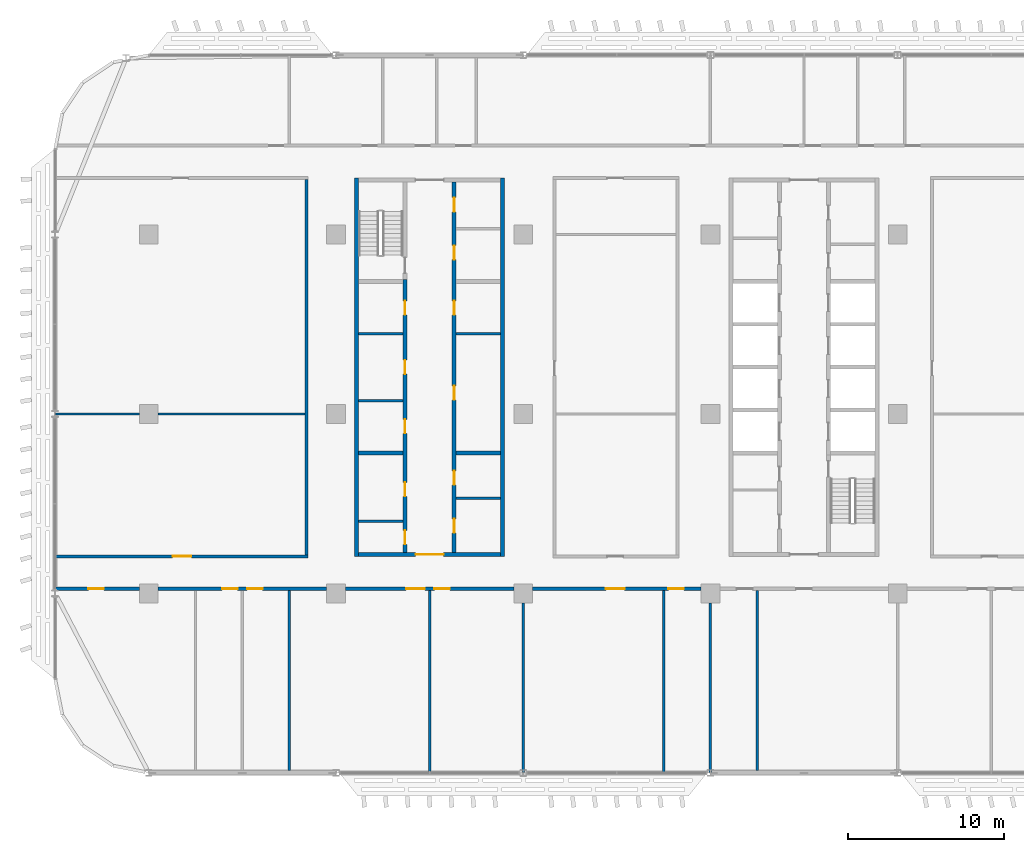
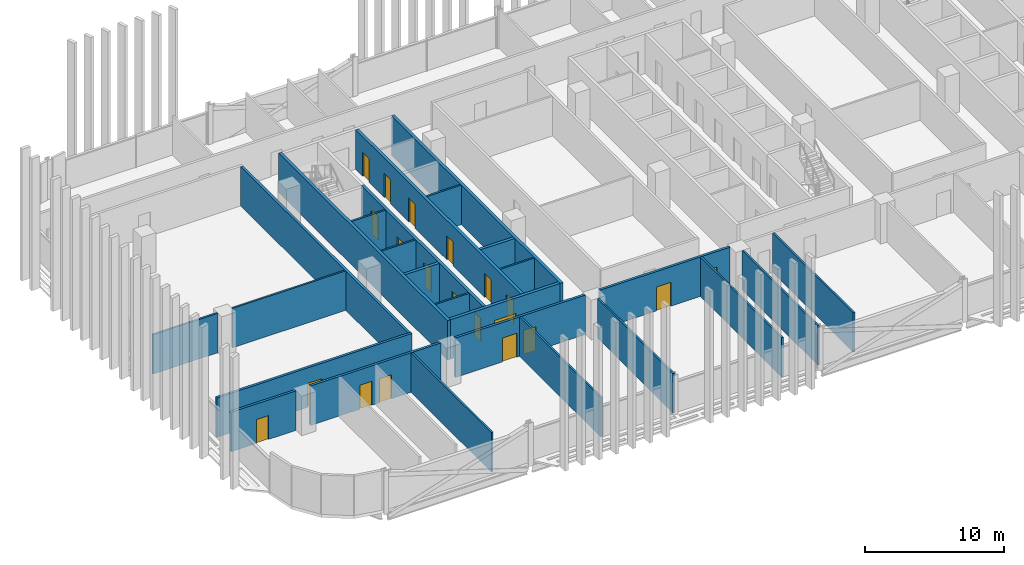
# One storey, part 12 of 28: 26 walls, 20 doors, 20 openings.
"""IFC4 building model written with IfcOpenShell, lengths in metres."""

import ifcopenshell
import ifcopenshell.guid

model = None  # the IFC model being written
_history = None  # IfcOwnerHistory: only IFC2X3 demands one
_inside = {}  # id of a spatial element -> (the spatial element, [elements in it])
_under = {}  # id of a project, library or spatial element -> (it, [spatial elements below it])
_declared = {}  # id of a project -> (the project, [libraries it declares])
_typed = {}  # id of a type object -> (the type object, [elements of that type])
_made_of = {}  # id of a material, layer set ... -> (it, [elements and type objects made of it])


def new_model(schema):
    """Start an empty IFC model of exactly this schema.

    Asked for "IFC4X3", IfcOpenShell would pick the latest addendum, in which some entities
    have other attributes; the version numbers below select the first issue.
    IFC2X3 requires an IfcOwnerHistory on every rooted entity: one is made here for all.
    """
    global model, _history
    if schema == "IFC4X3":
        model = ifcopenshell.file(schema_version=(4, 3, 0, 0))
    else:
        model = ifcopenshell.file(schema=schema)
    _inside.clear()
    _under.clear()
    _declared.clear()
    _typed.clear()
    _made_of.clear()
    _history = None
    if model.schema == "IFC2X3":
        org = make("IfcOrganization", Name="unknown")
        user = make(
            "IfcPersonAndOrganization",
            ThePerson=make("IfcPerson", FamilyName="unknown"),
            TheOrganization=org,
        )
        app = make(
            "IfcApplication",
            ApplicationDeveloper=org,
            Version="unknown",
            ApplicationFullName="unknown",
            ApplicationIdentifier="unknown",
        )
        _history = make(
            "IfcOwnerHistory",
            OwningUser=user,
            OwningApplication=app,
            ChangeAction="ADDED",
            CreationDate=0,
        )
    return model


def make(cls, **values):
    """One entity of the class cls with the attributes given. An attribute that is None is left unset."""
    return model.create_entity(
        cls, **{name: value for name, value in values.items() if value is not None}
    )


def rooted(cls, **values):
    """An entity with a GlobalId (a new one), such as an element, a storey or a relation."""
    return make(cls, GlobalId=ifcopenshell.guid.new(), OwnerHistory=_history, **values)


def si_unit(unit_type, name, prefix=None):
    """IfcSIUnit, for example si_unit("LENGTHUNIT", "METRE", prefix="MILLI")."""
    return make("IfcSIUnit", UnitType=unit_type, Prefix=prefix, Name=name)


def assignment(units):
    """IfcUnitAssignment: the units of a project."""
    return None if units is None else make("IfcUnitAssignment", Units=units)


def point(xyz):
    """IfcCartesianPoint."""
    return None if xyz is None else make("IfcCartesianPoint", Coordinates=xyz)


def direction(xyz):
    """IfcDirection."""
    return None if xyz is None else make("IfcDirection", DirectionRatios=xyz)


def frame(location, z_axis=None, x_axis=None):
    """IfcAxis2Placement3D, a coordinate frame: its origin and axes. An axis left out is left unset."""
    return make(
        "IfcAxis2Placement3D",
        Location=point(location),
        Axis=direction(z_axis),
        RefDirection=direction(x_axis),
    )


def frame_2d(location, x_axis=None):
    """IfcAxis2Placement2D, a coordinate frame in the plane: its origin and x axis."""
    return make(
        "IfcAxis2Placement2D", Location=point(location), RefDirection=direction(x_axis)
    )


def origin():
    """The frame at (0, 0, 0) with its axes left unset."""
    return frame((0.0, 0.0, 0.0))


def place(relative_to, where):
    """IfcLocalPlacement: puts the frame where relative to a parent placement (None: the world)."""
    return make(
        "IfcLocalPlacement", PlacementRelTo=relative_to, RelativePlacement=where
    )


def context(
    kind, dimensions, precision=None, world=None, true_north=None, identifier=None
):
    """IfcGeometricRepresentationContext, for example the 3D "Model" context."""
    return make(
        "IfcGeometricRepresentationContext",
        ContextIdentifier=identifier,
        ContextType=kind,
        CoordinateSpaceDimension=dimensions,
        Precision=precision,
        WorldCoordinateSystem=world,
        TrueNorth=true_north,
    )


def subcontext(parent, identifier, kind, view, scale=None):
    """IfcGeometricRepresentationSubContext, for example "Body" below "Model"."""
    return make(
        "IfcGeometricRepresentationSubContext",
        ContextIdentifier=identifier,
        ContextType=kind,
        ParentContext=parent,
        TargetScale=scale,
        TargetView=view,
    )


def project(units=None, contexts=None):
    """IfcProject with its units and contexts."""
    return rooted(
        "IfcProject",
        Name="project",
        RepresentationContexts=contexts,
        UnitsInContext=assignment(units),
    )


def spatial(cls, under=None, at=None, **own):
    """A site, building, storey or space (cls), placed at a placement, below another one or the project."""
    s = rooted(cls, ObjectPlacement=at, **own)
    if under is not None:
        _under.setdefault(under.id(), (under, []))[1].append(s)
    return s


def profile(cls, at=None, kind="AREA", **sizes):
    """A parametric profile (cls). Its sizes go by their IFC names, for example OverallWidth=200.0."""
    return make(cls, ProfileType=kind, Position=at, **sizes)


def rectangle(**sizes):
    """IfcRectangleProfileDef."""
    return profile("IfcRectangleProfileDef", **sizes)


def extrude(swept, where, along, depth):
    """IfcExtrudedAreaSolid: the profile swept, set in the frame where, extruded along a direction by depth."""
    return make(
        "IfcExtrudedAreaSolid",
        SweptArea=swept,
        Position=where,
        ExtrudedDirection=direction(along),
        Depth=depth,
    )


def shape(context_of_items, identifier, shape_type, items):
    """IfcShapeRepresentation: the items that make up one representation, for example the "Body"."""
    return make(
        "IfcShapeRepresentation",
        ContextOfItems=context_of_items,
        RepresentationIdentifier=identifier,
        RepresentationType=shape_type,
        Items=items,
    )


def material(Name=None, Category=None):
    """IfcMaterial."""
    return make("IfcMaterial", Name=Name, Category=Category)


def layer(
    of_material, thickness, ventilated=None, Name=None, Category=None, Priority=None
):
    """IfcMaterialLayer: one layer of a wall or slab, of a material (None: an air gap)."""
    return make(
        "IfcMaterialLayer",
        Material=of_material,
        LayerThickness=thickness,
        IsVentilated=ventilated,
        Name=Name,
        Category=Category,
        Priority=Priority,
    )


def layer_set(layers, Name=None):
    """IfcMaterialLayerSet."""
    return make("IfcMaterialLayerSet", MaterialLayers=layers, LayerSetName=Name)


def made_of(thing, what):
    """Note that an element or type object is made of a material, layer set ...; save() writes the relation."""
    if what is not None:
        _made_of.setdefault(what.id(), (what, []))[1].append(thing)
    return thing


def type_object(cls, material=None, **own):
    """A type object (cls), such as IfcWallType, which elements share."""
    return made_of(rooted(cls, **own), material)


def element(
    cls,
    number,
    at=None,
    inside=None,
    cuts=None,
    type_object=None,
    material=None,
    context=None,
    identifier="Body",
    shape_type=None,
    held_by="IfcProductDefinitionShape",
    body=None,
    shapes=None,
    **own,
):
    """One element of the class cls, such as IfcWall. Its Tag is "e" and its number.

    at: its placement. inside: the storey or other place that contains it. cuts: it is an
    opening in that element (IfcRelVoidsElement). A single representation is given by context,
    identifier, shape_type and body (its items); several are given by shapes. held_by: the class
    of the entity that holds the representations. save() writes the other relations.
    """
    e = rooted(cls, Tag="e%d" % number, ObjectPlacement=at, **own)
    if body is not None:
        shapes = [shape(context, identifier, shape_type, body)]
    if shapes is not None:
        e.Representation = make(held_by, Representations=shapes)
    if inside is not None:
        _inside.setdefault(inside.id(), (inside, []))[1].append(e)
    if cuts is not None:
        rooted(
            "IfcRelVoidsElement", RelatingBuildingElement=cuts, RelatedOpeningElement=e
        )
    if type_object is not None:
        _typed.setdefault(type_object.id(), (type_object, []))[1].append(e)
    return made_of(e, material)


def fill(opening, filler):
    """IfcRelFillsElement: the door or window that sits in an opening."""
    return rooted(
        "IfcRelFillsElement",
        RelatingOpeningElement=opening,
        RelatedBuildingElement=filler,
    )


def aggregate(whole, parts):
    """IfcRelAggregates: a whole, such as a stair, and the parts it consists of."""
    return rooted("IfcRelAggregates", RelatingObject=whole, RelatedObjects=parts)


def save(model, path):
    """Write the relations noted so far, then the file.

    IfcRelAggregates (storeys below a building ...), IfcRelContainedInSpatialStructure (elements
    in a storey), IfcRelDefinesByType, IfcRelAssociatesMaterial and IfcRelDeclares: one each for
    every whole, place, type object, material and project.
    """
    for whole, parts in _under.values():
        aggregate(whole, parts)
    for where, things in _inside.values():
        rooted(
            "IfcRelContainedInSpatialStructure",
            RelatedElements=things,
            RelatingStructure=where,
        )
    for kind, things in _typed.values():
        rooted("IfcRelDefinesByType", RelatedObjects=things, RelatingType=kind)
    for what, things in _made_of.values():
        rooted("IfcRelAssociatesMaterial", RelatedObjects=things, RelatingMaterial=what)
    for by, libraries in _declared.values():
        rooted("IfcRelDeclares", RelatingContext=by, RelatedDefinitions=libraries)
    model.write(path)


model = new_model("IFC4")

# Units and contexts
model_context = context("Model", 3, precision=1e-05, world=origin(), true_north=direction((0.0, 1.0)))
body_context = subcontext(model_context, "Body", "Model", "MODEL_VIEW")
ifc_project = project(units=[si_unit("LENGTHUNIT", "METRE"), si_unit("AREAUNIT", "SQUARE_METRE"), si_unit("VOLUMEUNIT", "CUBIC_METRE"), si_unit("PLANEANGLEUNIT", "RADIAN"), si_unit("MASSUNIT", "GRAM", prefix="KILO")], contexts=[model_context])

# Site, building, storey
site_placement = place(None, origin())
site = spatial("IfcSite", under=ifc_project, at=site_placement, CompositionType="ELEMENT")
building_placement = place(site_placement, origin())
building = spatial("IfcBuilding", under=site, at=building_placement, Name="Mahtab Terrace Research Tower", CompositionType="ELEMENT")
storey_placement = place(building_placement, frame((0.0, 0.0, 174.39990234375)))
storey = spatial("IfcBuildingStorey", under=building, at=storey_placement, Name="L41", CompositionType="ELEMENT", Elevation=174.39990234375)

# Walls
ifc_material_1 = material(Name="Gypsum board partition")
ifc_layer_1 = layer(ifc_material_1, 0.14990234375)
ifc_layer_set_1 = layer_set([ifc_layer_1], Name="Core partition 150")
wall_type_1 = type_object("IfcWallType", Name="Core partition 150", PredefinedType="PARTITIONING", material=ifc_layer_set_1)
for number, where, z_axis, x_axis, name in (
    (1, (-28.550048828125, 0.85009765625, 0.0), (0.0, 0.0, 1.0), (1.0, 0.0, 0.0), "Core wall A pWL-215"),
    (2, (-28.550048828125, 5.14990234375, 0.0), (0.0, 0.0, 1.0), (1.0, 0.0, 0.0), "Core wall A pWL215"),
    (3, (-22.300048828125, 5.14990234375, 0.0), (0.0, 0.0, 1.0), (1.0, 0.0, 0.0), "Core wall A pEL215"),
    (4, (-28.550048828125, -6.875, 0.0), (0.0, 0.0, 1.0), (1.0, 0.0, 0.0), "Core wall A pWS-988"),
    (5, (-22.300048828125, -5.39501953125, 0.0), (0.0, 0.0, 1.0), (1.0, 0.0, 0.0), "Core wall A pES-840"),
):
    element("IfcWall", number, at=place(storey_placement, frame(where, z_axis=z_axis, x_axis=x_axis)), inside=storey, type_object=wall_type_1, Name=name, PredefinedType="PARTITIONING", context=body_context, shape_type="SweptSolid", body=[
        extrude(rectangle(XDim=2.85009765625, YDim=0.14990234375, at=frame_2d((1.425048828125, 0.0))), origin(), (0.0, 0.0, 1.0), 3.460205078125),
    ])
ifc_material_2 = material(Name="Concrete C70/85", Category="concrete")
ifc_layer_2 = layer(ifc_material_2, 0.25)
ifc_layer_set_2 = layer_set([ifc_layer_2], Name="Core wall 250")
wall_type_2 = type_object("IfcWallType", Name="Core wall 250", PredefinedType="SOLIDWALL", material=ifc_layer_set_2)
for number, where, z_axis, x_axis, name in (
    (6, (-28.675048828125, 15.125, 0.0), (0.0, 0.0, 1.0), (0.0, -1.0, 0.0), "Core wall A outerW"),
    (7, (-19.324951171875, -9.125, 0.0), (0.0, 0.0, 1.0), (0.0, 1.0, 0.0), "Core wall A outerE"),
):
    element("IfcWall", number, at=place(storey_placement, frame(where, z_axis=z_axis, x_axis=x_axis)), inside=storey, type_object=wall_type_2, Name=name, PredefinedType="SOLIDWALL", context=body_context, shape_type="SweptSolid", body=[
        extrude(rectangle(XDim=24.25, YDim=0.25, at=frame_2d((12.125, 0.0))), origin(), (0.0, 0.0, 1.0), 3.460205078125),
    ])

# Wall, opening, door
wall_1_placement = place(storey_placement, frame((-19.449951171875, -9.0, 0.0), z_axis=(0.0, 0.0, 1.0), x_axis=(-1.0, 0.0, 0.0)))
wall_1 = element("IfcWall", 8, at=wall_1_placement, inside=storey, type_object=wall_type_2, Name="Core wall A endS", PredefinedType="SOLIDWALL", context=body_context, shape_type="SweptSolid", body=[
    extrude(rectangle(XDim=9.10009765625, YDim=0.25, at=frame_2d((4.550048828125, 0.0))), origin(), (0.0, 0.0, 1.0), 3.460205078125),
])
opening_1_placement = place(wall_1_placement, frame((3.64990234375, 0.0, 0.0)))
opening_1 = element("IfcOpeningElement", 9, at=opening_1_placement, cuts=wall_1, Name="Opening A-S1", PredefinedType="OPENING", context=body_context, shape_type="SweptSolid", body=[
    extrude(rectangle(XDim=1.800048828125, YDim=2.10009765625, at=frame_2d((0.89990234375, 1.050048828125))), frame((0.0, 0.135009765625, 0.0), z_axis=(0.0, -1.0, 0.0), x_axis=(1.0, 0.0, 0.0)), (0.0, 0.0, 1.0), 0.27001953125),
])
ifc_material_3 = material(Name="Steel fire door", Category="steel")
door_type_1 = type_object("IfcDoorType", Name="Lobby double door 1800x2100 1 HR", OperationType="DOUBLE_DOOR_SINGLE_SWING", PredefinedType="DOOR", material=ifc_material_3)
door_1_placement = place(opening_1_placement, origin())
door_1 = element("IfcDoor", 10, at=door_1_placement, inside=storey, type_object=door_type_1, Name="Core entrance door A S", OperationType="DOUBLE_DOOR_SINGLE_SWING", OverallHeight=2.10009765625, OverallWidth=1.800048828125, PredefinedType="DOOR", context=body_context, shape_type="SweptSolid", body=[
    extrude(rectangle(XDim=1.800048828125, YDim=2.10009765625, at=frame_2d((0.89990234375, 1.050048828125))), frame((0.0, 0.02490234375, 0.0), z_axis=(0.0, -1.0, 0.0), x_axis=(1.0, 0.0, 0.0)), (0.0, 0.0, 1.0), 0.050048828125),
])
fill(opening_1, door_1)

# Wall, openings, doors
wall_2_placement = place(storey_placement, frame((-25.574951171875, -8.875, 0.0), z_axis=(0.0, 0.0, 1.0), x_axis=(0.0, 1.0, 0.0)))
wall_2 = element("IfcWall", 11, at=wall_2_placement, inside=storey, type_object=wall_type_2, Name="Core wall A innerWSL", PredefinedType="SOLIDWALL", context=body_context, shape_type="SweptSolid", body=[
    extrude(rectangle(XDim=17.5, YDim=0.25, at=frame_2d((8.75, 0.0))), origin(), (0.0, 0.0, 1.0), 3.460205078125),
])
opening_2_placement = place(wall_2_placement, frame((7.625, 0.0, 0.0)))
opening_2 = element("IfcOpeningElement", 12, at=opening_2_placement, cuts=wall_2, Name="Opening A-R1", PredefinedType="OPENING", context=body_context, shape_type="SweptSolid", body=[
    extrude(rectangle(XDim=0.89990234375, YDim=2.10009765625, at=frame_2d((0.449951171875, 1.050048828125))), frame((0.0, 0.135009765625, 0.0), z_axis=(0.0, -1.0, 0.0), x_axis=(1.0, 0.0, 0.0)), (0.0, 0.0, 1.0), 0.27001953125),
])
opening_3_placement = place(wall_2_placement, frame((11.425048828125, 0.0, 0.0)))
opening_3 = element("IfcOpeningElement", 13, at=opening_3_placement, cuts=wall_2, Name="Opening A-R2", PredefinedType="OPENING", context=body_context, shape_type="SweptSolid", body=[
    extrude(rectangle(XDim=0.89990234375, YDim=2.10009765625, at=frame_2d((0.449951171875, 1.050048828125))), frame((0.0, 0.135009765625, 0.0), z_axis=(0.0, -1.0, 0.0), x_axis=(1.0, 0.0, 0.0)), (0.0, 0.0, 1.0), 0.27001953125),
])
opening_4_placement = place(wall_2_placement, frame((15.22509765625, 0.0, 0.0)))
opening_4 = element("IfcOpeningElement", 14, at=opening_4_placement, cuts=wall_2, Name="Opening A-R3", PredefinedType="OPENING", context=body_context, shape_type="SweptSolid", body=[
    extrude(rectangle(XDim=0.89990234375, YDim=2.10009765625, at=frame_2d((0.449951171875, 1.050048828125))), frame((0.0, 0.135009765625, 0.0), z_axis=(0.0, -1.0, 0.0), x_axis=(1.0, 0.0, 0.0)), (0.0, 0.0, 1.0), 0.27001953125),
])
opening_5_placement = place(wall_2_placement, frame((0.512451171875, 0.0, 0.0)))
opening_5 = element("IfcOpeningElement", 15, at=opening_5_placement, cuts=wall_2, Name="Opening A-R6", PredefinedType="OPENING", context=body_context, shape_type="SweptSolid", body=[
    extrude(rectangle(XDim=0.89990234375, YDim=2.10009765625, at=frame_2d((0.449951171875, 1.050048828125))), frame((0.0, 0.135009765625, 0.0), z_axis=(0.0, -1.0, 0.0), x_axis=(1.0, 0.0, 0.0)), (0.0, 0.0, 1.0), 0.27001953125),
])
opening_6_placement = place(wall_2_placement, frame((3.58740234375, 0.0, 0.0)))
opening_6 = element("IfcOpeningElement", 16, at=opening_6_placement, cuts=wall_2, Name="Opening A-R7", PredefinedType="OPENING", context=body_context, shape_type="SweptSolid", body=[
    extrude(rectangle(XDim=0.89990234375, YDim=2.10009765625, at=frame_2d((0.449951171875, 1.050048828125))), frame((0.0, 0.135009765625, 0.0), z_axis=(0.0, -1.0, 0.0), x_axis=(1.0, 0.0, 0.0)), (0.0, 0.0, 1.0), 0.27001953125),
])
door_type_2 = type_object("IfcDoorType", Name="Room door 900x2100 1 HR", OperationType="NOTDEFINED", PredefinedType="DOOR", material=ifc_material_3)
door_2_placement = place(opening_2_placement, origin())
door_2 = element("IfcDoor", 17, at=door_2_placement, inside=storey, type_object=door_type_2, Name="Electrical room door", OperationType="SINGLE_SWING_LEFT", OverallHeight=2.10009765625, OverallWidth=0.89990234375, PredefinedType="DOOR", context=body_context, shape_type="SweptSolid", body=[
    extrude(rectangle(XDim=0.89990234375, YDim=2.10009765625, at=frame_2d((0.449951171875, 1.050048828125))), frame((0.0, 0.02490234375, 0.0), z_axis=(0.0, -1.0, 0.0), x_axis=(1.0, 0.0, 0.0)), (0.0, 0.0, 1.0), 0.050048828125),
])
fill(opening_2, door_2)
door_3_placement = place(opening_3_placement, origin())
door_3 = element("IfcDoor", 18, at=door_3_placement, inside=storey, type_object=door_type_2, Name="Pantry door", OperationType="SINGLE_SWING_RIGHT", OverallHeight=2.10009765625, OverallWidth=0.89990234375, PredefinedType="DOOR", context=body_context, shape_type="SweptSolid", body=[
    extrude(rectangle(XDim=0.89990234375, YDim=2.10009765625, at=frame_2d((0.449951171875, 1.050048828125))), frame((0.0, 0.02490234375, 0.0), z_axis=(0.0, -1.0, 0.0), x_axis=(1.0, 0.0, 0.0)), (0.0, 0.0, 1.0), 0.050048828125),
])
fill(opening_3, door_3)
door_4_placement = place(opening_4_placement, origin())
door_4 = element("IfcDoor", 19, at=door_4_placement, inside=storey, type_object=door_type_2, Name="Housekeeping store door", OperationType="SINGLE_SWING_LEFT", OverallHeight=2.10009765625, OverallWidth=0.89990234375, PredefinedType="DOOR", context=body_context, shape_type="SweptSolid", body=[
    extrude(rectangle(XDim=0.89990234375, YDim=2.10009765625, at=frame_2d((0.449951171875, 1.050048828125))), frame((0.0, 0.02490234375, 0.0), z_axis=(0.0, -1.0, 0.0), x_axis=(1.0, 0.0, 0.0)), (0.0, 0.0, 1.0), 0.050048828125),
])
fill(opening_4, door_4)
door_5_placement = place(opening_5_placement, origin())
door_5 = element("IfcDoor", 20, at=door_5_placement, inside=storey, type_object=door_type_2, Name="Accessible WC door", OperationType="SINGLE_SWING_RIGHT", OverallHeight=2.10009765625, OverallWidth=0.89990234375, PredefinedType="DOOR", context=body_context, shape_type="SweptSolid", body=[
    extrude(rectangle(XDim=0.89990234375, YDim=2.10009765625, at=frame_2d((0.449951171875, 1.050048828125))), frame((0.0, 0.02490234375, 0.0), z_axis=(0.0, -1.0, 0.0), x_axis=(1.0, 0.0, 0.0)), (0.0, 0.0, 1.0), 0.050048828125),
])
fill(opening_5, door_5)
door_6_placement = place(opening_6_placement, origin())
door_6 = element("IfcDoor", 21, at=door_6_placement, inside=storey, type_object=door_type_2, Name="WC block door", OperationType="SINGLE_SWING_LEFT", OverallHeight=2.10009765625, OverallWidth=0.89990234375, PredefinedType="DOOR", context=body_context, shape_type="SweptSolid", body=[
    extrude(rectangle(XDim=0.89990234375, YDim=2.10009765625, at=frame_2d((0.449951171875, 1.050048828125))), frame((0.0, 0.02490234375, 0.0), z_axis=(0.0, -1.0, 0.0), x_axis=(1.0, 0.0, 0.0)), (0.0, 0.0, 1.0), 0.050048828125),
])
fill(opening_6, door_6)

wall_3_placement = place(storey_placement, frame((-22.425048828125, 14.875, 0.0), z_axis=(0.0, 0.0, 1.0), x_axis=(0.0, -1.0, 0.0)))
wall_3 = element("IfcWall", 22, at=wall_3_placement, inside=storey, type_object=wall_type_2, Name="Core wall A innerESLN", PredefinedType="SOLIDWALL", context=body_context, shape_type="SweptSolid", body=[
    extrude(rectangle(XDim=23.75, YDim=0.25, at=frame_2d((11.875, 0.0))), origin(), (0.0, 0.0, 1.0), 3.460205078125),
])
opening_7_placement = place(wall_3_placement, frame((13.074951171875, 0.0, 0.0)))
opening_7 = element("IfcOpeningElement", 23, at=opening_7_placement, cuts=wall_3, Name="Opening A-R4", PredefinedType="OPENING", context=body_context, shape_type="SweptSolid", body=[
    extrude(rectangle(XDim=0.89990234375, YDim=2.10009765625, at=frame_2d((0.449951171875, 1.050048828125))), frame((0.0, 0.135009765625, 0.0), z_axis=(0.0, -1.0, 0.0), x_axis=(1.0, 0.0, 0.0)), (0.0, 0.0, 1.0), 0.27001953125),
])
opening_8_placement = place(wall_3_placement, frame((7.625, 0.0, 0.0)))
opening_8 = element("IfcOpeningElement", 24, at=opening_8_placement, cuts=wall_3, Name="Opening A-R5", PredefinedType="OPENING", context=body_context, shape_type="SweptSolid", body=[
    extrude(rectangle(XDim=0.89990234375, YDim=2.10009765625, at=frame_2d((0.449951171875, 1.050048828125))), frame((0.0, 0.135009765625, 0.0), z_axis=(0.0, -1.0, 0.0), x_axis=(1.0, 0.0, 0.0)), (0.0, 0.0, 1.0), 0.27001953125),
])
opening_9_placement = place(wall_3_placement, frame((21.597412109375, 0.0, 0.0)))
opening_9 = element("IfcOpeningElement", 25, at=opening_9_placement, cuts=wall_3, Name="Opening A-R8", PredefinedType="OPENING", context=body_context, shape_type="SweptSolid", body=[
    extrude(rectangle(XDim=0.89990234375, YDim=2.10009765625, at=frame_2d((0.449951171875, 1.050048828125))), frame((0.0, 0.135009765625, 0.0), z_axis=(0.0, -1.0, 0.0), x_axis=(1.0, 0.0, 0.0)), (0.0, 0.0, 1.0), 0.27001953125),
])
opening_10_placement = place(wall_3_placement, frame((18.5224609375, 0.0, 0.0)))
opening_10 = element("IfcOpeningElement", 26, at=opening_10_placement, cuts=wall_3, Name="Opening A-R9", PredefinedType="OPENING", context=body_context, shape_type="SweptSolid", body=[
    extrude(rectangle(XDim=0.89990234375, YDim=2.10009765625, at=frame_2d((0.449951171875, 1.050048828125))), frame((0.0, 0.135009765625, 0.0), z_axis=(0.0, -1.0, 0.0), x_axis=(1.0, 0.0, 0.0)), (0.0, 0.0, 1.0), 0.27001953125),
])
opening_11_placement = place(wall_3_placement, frame((4.08740234375, 0.0, 0.0)))
opening_11 = element("IfcOpeningElement", 27, at=opening_11_placement, cuts=wall_3, Name="Opening A-R10", PredefinedType="OPENING", context=body_context, shape_type="SweptSolid", body=[
    extrude(rectangle(XDim=0.89990234375, YDim=2.10009765625, at=frame_2d((0.449951171875, 1.050048828125))), frame((0.0, 0.135009765625, 0.0), z_axis=(0.0, -1.0, 0.0), x_axis=(1.0, 0.0, 0.0)), (0.0, 0.0, 1.0), 0.27001953125),
])
opening_12_placement = place(wall_3_placement, frame((1.012451171875, 0.0, 0.0)))
opening_12 = element("IfcOpeningElement", 28, at=opening_12_placement, cuts=wall_3, Name="Opening A-R11", PredefinedType="OPENING", context=body_context, shape_type="SweptSolid", body=[
    extrude(rectangle(XDim=0.89990234375, YDim=2.10009765625, at=frame_2d((0.449951171875, 1.050048828125))), frame((0.0, 0.135009765625, 0.0), z_axis=(0.0, -1.0, 0.0), x_axis=(1.0, 0.0, 0.0)), (0.0, 0.0, 1.0), 0.27001953125),
])
door_7_placement = place(opening_7_placement, origin())
door_7 = element("IfcDoor", 29, at=door_7_placement, inside=storey, type_object=door_type_2, Name="Chemical store door", OperationType="SINGLE_SWING_RIGHT", OverallHeight=2.10009765625, OverallWidth=0.89990234375, PredefinedType="DOOR", context=body_context, shape_type="SweptSolid", body=[
    extrude(rectangle(XDim=0.89990234375, YDim=2.10009765625, at=frame_2d((0.449951171875, 1.050048828125))), frame((0.0, 0.02490234375, 0.0), z_axis=(0.0, -1.0, 0.0), x_axis=(1.0, 0.0, 0.0)), (0.0, 0.0, 1.0), 0.050048828125),
])
fill(opening_7, door_7)
door_8_placement = place(opening_8_placement, origin())
door_8 = element("IfcDoor", 30, at=door_8_placement, inside=storey, type_object=door_type_2, Name="Waste room door", OperationType="SINGLE_SWING_LEFT", OverallHeight=2.10009765625, OverallWidth=0.89990234375, PredefinedType="DOOR", context=body_context, shape_type="SweptSolid", body=[
    extrude(rectangle(XDim=0.89990234375, YDim=2.10009765625, at=frame_2d((0.449951171875, 1.050048828125))), frame((0.0, 0.02490234375, 0.0), z_axis=(0.0, -1.0, 0.0), x_axis=(1.0, 0.0, 0.0)), (0.0, 0.0, 1.0), 0.050048828125),
])
fill(opening_8, door_8)
door_9_placement = place(opening_9_placement, origin())
door_9 = element("IfcDoor", 31, at=door_9_placement, inside=storey, type_object=door_type_2, Name="Pantry door", OperationType="SINGLE_SWING_RIGHT", OverallHeight=2.10009765625, OverallWidth=0.89990234375, PredefinedType="DOOR", context=body_context, shape_type="SweptSolid", body=[
    extrude(rectangle(XDim=0.89990234375, YDim=2.10009765625, at=frame_2d((0.449951171875, 1.050048828125))), frame((0.0, 0.02490234375, 0.0), z_axis=(0.0, -1.0, 0.0), x_axis=(1.0, 0.0, 0.0)), (0.0, 0.0, 1.0), 0.050048828125),
])
fill(opening_9, door_9)
door_10_placement = place(opening_10_placement, origin())
door_10 = element("IfcDoor", 32, at=door_10_placement, inside=storey, type_object=door_type_2, Name="Linen store door", OperationType="SINGLE_SWING_LEFT", OverallHeight=2.10009765625, OverallWidth=0.89990234375, PredefinedType="DOOR", context=body_context, shape_type="SweptSolid", body=[
    extrude(rectangle(XDim=0.89990234375, YDim=2.10009765625, at=frame_2d((0.449951171875, 1.050048828125))), frame((0.0, 0.02490234375, 0.0), z_axis=(0.0, -1.0, 0.0), x_axis=(1.0, 0.0, 0.0)), (0.0, 0.0, 1.0), 0.050048828125),
])
fill(opening_10, door_10)
door_11_placement = place(opening_11_placement, origin())
door_11 = element("IfcDoor", 33, at=door_11_placement, inside=storey, type_object=door_type_2, Name="Housekeeping store door", OperationType="SINGLE_SWING_RIGHT", OverallHeight=2.10009765625, OverallWidth=0.89990234375, PredefinedType="DOOR", context=body_context, shape_type="SweptSolid", body=[
    extrude(rectangle(XDim=0.89990234375, YDim=2.10009765625, at=frame_2d((0.449951171875, 1.050048828125))), frame((0.0, 0.02490234375, 0.0), z_axis=(0.0, -1.0, 0.0), x_axis=(1.0, 0.0, 0.0)), (0.0, 0.0, 1.0), 0.050048828125),
])
fill(opening_11, door_11)
door_12_placement = place(opening_12_placement, origin())
door_12 = element("IfcDoor", 34, at=door_12_placement, inside=storey, type_object=door_type_2, Name="Electrical riser room door", OperationType="SINGLE_SWING_LEFT", OverallHeight=2.10009765625, OverallWidth=0.89990234375, PredefinedType="DOOR", context=body_context, shape_type="SweptSolid", body=[
    extrude(rectangle(XDim=0.89990234375, YDim=2.10009765625, at=frame_2d((0.449951171875, 1.050048828125))), frame((0.0, 0.02490234375, 0.0), z_axis=(0.0, -1.0, 0.0), x_axis=(1.0, 0.0, 0.0)), (0.0, 0.0, 1.0), 0.050048828125),
])
fill(opening_12, door_12)

# Walls
for number, where, z_axis, x_axis, name in (
    (35, (-28.550048828125, -2.5, 0.0), (0.0, 0.0, 1.0), (1.0, 0.0, 0.0), "Core wall A divW0"),
    (36, (-22.300048828125, -2.5, 0.0), (0.0, 0.0, 1.0), (1.0, 0.0, 0.0), "Core wall A divE0"),
):
    element("IfcWall", number, at=place(storey_placement, frame(where, z_axis=z_axis, x_axis=x_axis)), inside=storey, type_object=wall_type_2, Name=name, PredefinedType="SOLIDWALL", context=body_context, shape_type="SweptSolid", body=[
        extrude(rectangle(XDim=2.85009765625, YDim=0.25, at=frame_2d((1.425048828125, 0.0))), origin(), (0.0, 0.0, 1.0), 3.460205078125),
    ])

# Wall, opening, door
ifc_material_4 = material(Name="Gypsum board corridor wall on steel studs", Category="steel")
ifc_layer_3 = layer(ifc_material_4, 0.199951171875)
ifc_layer_set_3 = layer_set([ifc_layer_3], Name="WALL CORRIDOR 200")
wall_type_3 = type_object("IfcWallType", Name="WALL CORRIDOR 200", PredefinedType="PARTITIONING", material=ifc_layer_set_3)
wall_4_placement = place(storey_placement, frame((-47.97509765625, -11.199951171875, 0.0), z_axis=(0.0, 0.0, 1.0), x_axis=(1.0, 0.0, 0.0)))
wall_4 = element("IfcWall", 37, at=wall_4_placement, inside=storey, type_object=wall_type_3, Name="L41-W001", PredefinedType="PARTITIONING", context=body_context, shape_type="SweptSolid", body=[
    extrude(rectangle(XDim=5.375, YDim=0.199951171875, at=frame_2d((2.6875, 0.0))), origin(), (0.0, 0.0, 1.0), 3.460205078125),
])
opening_13_placement = place(wall_4_placement, frame((2.10009765625, 0.0, 0.0)))
opening_13 = element("IfcOpeningElement", 38, at=opening_13_placement, cuts=wall_4, Name="Opening L41-101", PredefinedType="OPENING", context=body_context, shape_type="SweptSolid", body=[
    extrude(rectangle(XDim=1.0, YDim=2.10009765625, at=frame_2d((0.5, 1.050048828125))), frame((0.0, 0.10986328125, 0.0), z_axis=(0.0, -1.0, 0.0), x_axis=(1.0, 0.0, 0.0)), (0.0, 0.0, 1.0), 0.219970703125),
])
ifc_material_5 = material(Name="Timber door leaf in steel frame", Category="steel")
door_type_3 = type_object("IfcDoorType", Name="DOOR 1000X2100 FD30S", OperationType="SINGLE_SWING_LEFT", PredefinedType="DOOR", material=ifc_material_5)
door_13_placement = place(opening_13_placement, origin())
door_13 = element("IfcDoor", 39, at=door_13_placement, inside=storey, type_object=door_type_3, Name="Door L41-101", OperationType="SINGLE_SWING_RIGHT", OverallHeight=2.10009765625, OverallWidth=1.0, PredefinedType="DOOR", context=body_context, shape_type="SweptSolid", body=[
    extrude(rectangle(XDim=1.0, YDim=2.10009765625, at=frame_2d((0.5, 1.050048828125))), frame((0.0, 0.02490234375, 0.0), z_axis=(0.0, -1.0, 0.0), x_axis=(1.0, 0.0, 0.0)), (0.0, 0.0, 1.0), 0.050048828125),
])
fill(opening_13, door_13)

# Wall, openings, doors
wall_5_placement = place(storey_placement, frame((-41.39990234375, -11.199951171875, 0.0), z_axis=(0.0, 0.0, 1.0), x_axis=(1.0, 0.0, 0.0)))
wall_5 = element("IfcWall", 40, at=wall_5_placement, inside=storey, type_object=wall_type_3, Name="L41-W002", PredefinedType="PARTITIONING", context=body_context, shape_type="SweptSolid", body=[
    extrude(rectangle(XDim=10.7998046875, YDim=0.199951171875, at=frame_2d((5.39990234375, 0.0))), origin(), (0.0, 0.0, 1.0), 3.460205078125),
])
opening_14_placement = place(wall_5_placement, frame((4.10009765625, 0.0, 0.0)))
opening_14 = element("IfcOpeningElement", 41, at=opening_14_placement, cuts=wall_5, Name="Opening L41-102", PredefinedType="OPENING", context=body_context, shape_type="SweptSolid", body=[
    extrude(rectangle(XDim=1.0, YDim=2.10009765625, at=frame_2d((0.5, 1.050048828125))), frame((0.0, 0.10986328125, 0.0), z_axis=(0.0, -1.0, 0.0), x_axis=(1.0, 0.0, 0.0)), (0.0, 0.0, 1.0), 0.219970703125),
])
opening_15_placement = place(wall_5_placement, frame((5.699951171875, 0.0, 0.0)))
opening_15 = element("IfcOpeningElement", 42, at=opening_15_placement, cuts=wall_5, Name="Opening L41-103", PredefinedType="OPENING", context=body_context, shape_type="SweptSolid", body=[
    extrude(rectangle(XDim=1.0, YDim=2.10009765625, at=frame_2d((0.5, 1.050048828125))), frame((0.0, 0.10986328125, 0.0), z_axis=(0.0, -1.0, 0.0), x_axis=(1.0, 0.0, 0.0)), (0.0, 0.0, 1.0), 0.219970703125),
])
door_14_placement = place(opening_14_placement, origin())
door_14 = element("IfcDoor", 43, at=door_14_placement, inside=storey, type_object=door_type_3, Name="Door L41-102", OperationType="SINGLE_SWING_RIGHT", OverallHeight=2.10009765625, OverallWidth=1.0, PredefinedType="DOOR", context=body_context, shape_type="SweptSolid", body=[
    extrude(rectangle(XDim=1.0, YDim=2.10009765625, at=frame_2d((0.5, 1.050048828125))), frame((0.0, 0.02490234375, 0.0), z_axis=(0.0, -1.0, 0.0), x_axis=(1.0, 0.0, 0.0)), (0.0, 0.0, 1.0), 0.050048828125),
])
fill(opening_14, door_14)
door_15_placement = place(opening_15_placement, origin())
door_15 = element("IfcDoor", 44, at=door_15_placement, inside=storey, type_object=door_type_3, Name="Door L41-103", OperationType="SINGLE_SWING_LEFT", OverallHeight=2.10009765625, OverallWidth=1.0, PredefinedType="DOOR", context=body_context, shape_type="SweptSolid", body=[
    extrude(rectangle(XDim=1.0, YDim=2.10009765625, at=frame_2d((0.5, 1.050048828125))), frame((0.0, 0.02490234375, 0.0), z_axis=(0.0, -1.0, 0.0), x_axis=(1.0, 0.0, 0.0)), (0.0, 0.0, 1.0), 0.050048828125),
])
fill(opening_15, door_15)

wall_6_placement = place(storey_placement, frame((-29.39990234375, -11.199951171875, 0.0), z_axis=(0.0, 0.0, 1.0), x_axis=(1.0, 0.0, 0.0)))
wall_6 = element("IfcWall", 45, at=wall_6_placement, inside=storey, type_object=wall_type_3, Name="L41-W003", PredefinedType="PARTITIONING", context=body_context, shape_type="SweptSolid", body=[
    extrude(rectangle(XDim=10.7998046875, YDim=0.199951171875, at=frame_2d((5.39990234375, 0.0))), origin(), (0.0, 0.0, 1.0), 3.460205078125),
])
opening_16_placement = place(wall_6_placement, frame((3.89990234375, 0.0, 0.0)))
opening_16 = element("IfcOpeningElement", 46, at=opening_16_placement, cuts=wall_6, Name="Opening L41-104", PredefinedType="OPENING", context=body_context, shape_type="SweptSolid", body=[
    extrude(rectangle(XDim=1.199951171875, YDim=2.10009765625, at=frame_2d((0.60009765625, 1.050048828125))), frame((0.0, 0.10986328125, 0.0), z_axis=(0.0, -1.0, 0.0), x_axis=(1.0, 0.0, 0.0)), (0.0, 0.0, 1.0), 0.219970703125),
])
opening_17_placement = place(wall_6_placement, frame((5.699951171875, 0.0, 0.0)))
opening_17 = element("IfcOpeningElement", 47, at=opening_17_placement, cuts=wall_6, Name="Opening L41-105", PredefinedType="OPENING", context=body_context, shape_type="SweptSolid", body=[
    extrude(rectangle(XDim=1.0, YDim=2.10009765625, at=frame_2d((0.5, 1.050048828125))), frame((0.0, 0.10986328125, 0.0), z_axis=(0.0, -1.0, 0.0), x_axis=(1.0, 0.0, 0.0)), (0.0, 0.0, 1.0), 0.219970703125),
])
door_16_placement = place(opening_17_placement, origin())
door_16 = element("IfcDoor", 48, at=door_16_placement, inside=storey, type_object=door_type_3, Name="Door L41-105", OperationType="SINGLE_SWING_LEFT", OverallHeight=2.10009765625, OverallWidth=1.0, PredefinedType="DOOR", context=body_context, shape_type="SweptSolid", body=[
    extrude(rectangle(XDim=1.0, YDim=2.10009765625, at=frame_2d((0.5, 1.050048828125))), frame((0.0, 0.02490234375, 0.0), z_axis=(0.0, -1.0, 0.0), x_axis=(1.0, 0.0, 0.0)), (0.0, 0.0, 1.0), 0.050048828125),
])
fill(opening_17, door_16)
door_type_4 = type_object("IfcDoorType", Name="DOOR 1200X2100 FD30S", OperationType="SINGLE_SWING_LEFT", PredefinedType="DOOR", material=ifc_material_5)
door_17_placement = place(opening_16_placement, origin())
door_17 = element("IfcDoor", 49, at=door_17_placement, inside=storey, type_object=door_type_4, Name="Door L41-104", OperationType="SINGLE_SWING_RIGHT", OverallHeight=2.10009765625, OverallWidth=1.199951171875, PredefinedType="DOOR", context=body_context, shape_type="SweptSolid", body=[
    extrude(rectangle(XDim=1.199951171875, YDim=2.10009765625, at=frame_2d((0.60009765625, 1.050048828125))), frame((0.0, 0.02490234375, 0.0), z_axis=(0.0, -1.0, 0.0), x_axis=(1.0, 0.0, 0.0)), (0.0, 0.0, 1.0), 0.050048828125),
])
fill(opening_16, door_17)

wall_7_placement = place(storey_placement, frame((-17.39990234375, -11.199951171875, 0.0), z_axis=(0.0, 0.0, 1.0), x_axis=(1.0, 0.0, 0.0)))
wall_7 = element("IfcWall", 50, at=wall_7_placement, inside=storey, type_object=wall_type_3, Name="L41-W004", PredefinedType="PARTITIONING", context=body_context, shape_type="SweptSolid", body=[
    extrude(rectangle(XDim=10.7998046875, YDim=0.199951171875, at=frame_2d((5.39990234375, 0.0))), origin(), (0.0, 0.0, 1.0), 3.460205078125),
])
opening_18_placement = place(wall_7_placement, frame((4.699951171875, 0.0, 0.0)))
opening_18 = element("IfcOpeningElement", 51, at=opening_18_placement, cuts=wall_7, Name="Opening L41-106", PredefinedType="OPENING", context=body_context, shape_type="SweptSolid", body=[
    extrude(rectangle(XDim=1.199951171875, YDim=2.10009765625, at=frame_2d((0.60009765625, 1.050048828125))), frame((0.0, 0.10986328125, 0.0), z_axis=(0.0, -1.0, 0.0), x_axis=(1.0, 0.0, 0.0)), (0.0, 0.0, 1.0), 0.219970703125),
])
opening_19_placement = place(wall_7_placement, frame((8.699951171875, 0.0, 0.0)))
opening_19 = element("IfcOpeningElement", 52, at=opening_19_placement, cuts=wall_7, Name="Opening L41-107", PredefinedType="OPENING", context=body_context, shape_type="SweptSolid", body=[
    extrude(rectangle(XDim=1.0, YDim=2.10009765625, at=frame_2d((0.5, 1.050048828125))), frame((0.0, 0.10986328125, 0.0), z_axis=(0.0, -1.0, 0.0), x_axis=(1.0, 0.0, 0.0)), (0.0, 0.0, 1.0), 0.219970703125),
])
door_18_placement = place(opening_19_placement, origin())
door_18 = element("IfcDoor", 53, at=door_18_placement, inside=storey, type_object=door_type_3, Name="Door L41-107", OperationType="SINGLE_SWING_LEFT", OverallHeight=2.10009765625, OverallWidth=1.0, PredefinedType="DOOR", context=body_context, shape_type="SweptSolid", body=[
    extrude(rectangle(XDim=1.0, YDim=2.10009765625, at=frame_2d((0.5, 1.050048828125))), frame((0.0, 0.02490234375, 0.0), z_axis=(0.0, -1.0, 0.0), x_axis=(1.0, 0.0, 0.0)), (0.0, 0.0, 1.0), 0.050048828125),
])
fill(opening_19, door_18)
door_19_placement = place(opening_18_placement, origin())
door_19 = element("IfcDoor", 54, at=door_19_placement, inside=storey, type_object=door_type_4, Name="Door L41-106", OperationType="SINGLE_SWING_RIGHT", OverallHeight=2.10009765625, OverallWidth=1.199951171875, PredefinedType="DOOR", context=body_context, shape_type="SweptSolid", body=[
    extrude(rectangle(XDim=1.199951171875, YDim=2.10009765625, at=frame_2d((0.60009765625, 1.050048828125))), frame((0.0, 0.02490234375, 0.0), z_axis=(0.0, -1.0, 0.0), x_axis=(1.0, 0.0, 0.0)), (0.0, 0.0, 1.0), 0.050048828125),
])
fill(opening_18, door_19)

# Wall, opening, door
wall_8_placement = place(storey_placement, frame((-47.97509765625, -9.125, 0.0), z_axis=(0.0, 0.0, 1.0), x_axis=(1.0, 0.0, 0.0)))
wall_8 = element("IfcWall", 55, at=wall_8_placement, inside=storey, type_object=wall_type_3, Name="L41-W010", PredefinedType="PARTITIONING", context=body_context, shape_type="SweptSolid", body=[
    extrude(rectangle(XDim=16.175048828125, YDim=0.199951171875, at=frame_2d((8.08740234375, 0.0))), origin(), (0.0, 0.0, 1.0), 3.460205078125),
])
opening_20_placement = place(wall_8_placement, frame((7.5, 0.0, 0.0)))
opening_20 = element("IfcOpeningElement", 56, at=opening_20_placement, cuts=wall_8, Name="Opening L41-117", PredefinedType="OPENING", context=body_context, shape_type="SweptSolid", body=[
    extrude(rectangle(XDim=1.199951171875, YDim=2.10009765625, at=frame_2d((0.60009765625, 1.050048828125))), frame((0.0, 0.10986328125, 0.0), z_axis=(0.0, -1.0, 0.0), x_axis=(1.0, 0.0, 0.0)), (0.0, 0.0, 1.0), 0.219970703125),
])
door_20_placement = place(opening_20_placement, origin())
door_20 = element("IfcDoor", 57, at=door_20_placement, inside=storey, type_object=door_type_4, Name="Door L41-117", OperationType="SINGLE_SWING_RIGHT", OverallHeight=2.10009765625, OverallWidth=1.199951171875, PredefinedType="DOOR", context=body_context, shape_type="SweptSolid", body=[
    extrude(rectangle(XDim=1.199951171875, YDim=2.10009765625, at=frame_2d((0.60009765625, 1.050048828125))), frame((0.0, 0.02490234375, 0.0), z_axis=(0.0, -1.0, 0.0), x_axis=(1.0, 0.0, 0.0)), (0.0, 0.0, 1.0), 0.050048828125),
])
fill(opening_20, door_20)

# Walls
wall_9_placement = place(storey_placement, frame((-31.89990234375, -9.02490234375, 0.0), z_axis=(0.0, 0.0, 1.0), x_axis=(0.0, 1.0, 0.0)))
element("IfcWall", 58, at=wall_9_placement, inside=storey, type_object=wall_type_3, Name="L41-W032", PredefinedType="PARTITIONING", context=body_context, shape_type="SweptSolid", body=[
    extrude(rectangle(XDim=24.0498046875, YDim=0.199951171875, at=frame_2d((12.02490234375, 0.0))), origin(), (0.0, 0.0, 1.0), 3.460205078125),
])
ifc_material_6 = material(Name="Gypsum board partition on steel studs", Category="steel")
ifc_layer_4 = layer(ifc_material_6, 0.14990234375)
ifc_layer_set_4 = layer_set([ifc_layer_4], Name="WALL PARTITION 150")
wall_type_4 = type_object("IfcWallType", Name="WALL PARTITION 150", PredefinedType="PARTITIONING", material=ifc_layer_set_4)
wall_10_placement = place(storey_placement, frame((-47.97509765625, 0.0, 0.0), z_axis=(0.0, 0.0, 1.0), x_axis=(1.0, 0.0, 0.0)))
element("IfcWall", 59, at=wall_10_placement, inside=storey, type_object=wall_type_4, Name="L41-W014", PredefinedType="PARTITIONING", context=body_context, shape_type="SweptSolid", body=[
    extrude(rectangle(XDim=5.375, YDim=0.14990234375, at=frame_2d((2.6875, 0.0))), origin(), (0.0, 0.0, 1.0), 3.460205078125),
])
wall_11_placement = place(storey_placement, frame((-41.39990234375, 0.0, 0.0), z_axis=(0.0, 0.0, 1.0), x_axis=(1.0, 0.0, 0.0)))
element("IfcWall", 60, at=wall_11_placement, inside=storey, type_object=wall_type_4, Name="L41-W015", PredefinedType="PARTITIONING", context=body_context, shape_type="SweptSolid", body=[
    extrude(rectangle(XDim=9.39990234375, YDim=0.14990234375, at=frame_2d((4.699951171875, 0.0))), origin(), (0.0, 0.0, 1.0), 3.460205078125),
])
wall_12_placement = place(storey_placement, frame((-33.0, -22.85009765625, 0.0), z_axis=(0.0, 0.0, 1.0), x_axis=(0.0, 1.0, 0.0)))
element("IfcWall", 61, at=wall_12_placement, inside=storey, type_object=wall_type_4, Name="L41-W030", PredefinedType="PARTITIONING", context=body_context, shape_type="SweptSolid", body=[
    extrude(rectangle(XDim=11.550048828125, YDim=0.14990234375, at=frame_2d((5.77490234375, 0.0))), origin(), (0.0, 0.0, 1.0), 3.460205078125),
])
wall_13_placement = place(storey_placement, frame((-24.0, -22.97509765625, 0.0), z_axis=(0.0, 0.0, 1.0), x_axis=(0.0, 1.0, 0.0)))
element("IfcWall", 62, at=wall_13_placement, inside=storey, type_object=wall_type_4, Name="L41-W034", PredefinedType="PARTITIONING", context=body_context, shape_type="SweptSolid", body=[
    extrude(rectangle(XDim=11.675048828125, YDim=0.14990234375, at=frame_2d((5.83740234375, 0.0))), origin(), (0.0, 0.0, 1.0), 3.460205078125),
])
wall_14_placement = place(storey_placement, frame((-18.0, -22.97509765625, 0.0), z_axis=(0.0, 0.0, 1.0), x_axis=(0.0, 1.0, 0.0)))
element("IfcWall", 63, at=wall_14_placement, inside=storey, type_object=wall_type_4, Name="L41-W037", PredefinedType="PARTITIONING", context=body_context, shape_type="SweptSolid", body=[
    extrude(rectangle(XDim=10.875, YDim=0.14990234375, at=frame_2d((5.4375, 0.0))), origin(), (0.0, 0.0, 1.0), 3.460205078125),
])
wall_15_placement = place(storey_placement, frame((-9.0, -22.97509765625, 0.0), z_axis=(0.0, 0.0, 1.0), x_axis=(0.0, 1.0, 0.0)))
element("IfcWall", 64, at=wall_15_placement, inside=storey, type_object=wall_type_4, Name="L41-W039", PredefinedType="PARTITIONING", context=body_context, shape_type="SweptSolid", body=[
    extrude(rectangle(XDim=11.675048828125, YDim=0.14990234375, at=frame_2d((5.83740234375, 0.0))), origin(), (0.0, 0.0, 1.0), 3.460205078125),
])
wall_16_placement = place(storey_placement, frame((-6.0, -22.97509765625, 0.0), z_axis=(0.0, 0.0, 1.0), x_axis=(0.0, 1.0, 0.0)))
element("IfcWall", 65, at=wall_16_placement, inside=storey, type_object=wall_type_4, Name="L41-W041", PredefinedType="PARTITIONING", context=body_context, shape_type="SweptSolid", body=[
    extrude(rectangle(XDim=10.875, YDim=0.14990234375, at=frame_2d((5.4375, 0.0))), origin(), (0.0, 0.0, 1.0), 3.460205078125),
])
wall_17_placement = place(storey_placement, frame((-3.0, -22.85009765625, 0.0), z_axis=(0.0, 0.0, 1.0), x_axis=(0.0, 1.0, 0.0)))
element("IfcWall", 66, at=wall_17_placement, inside=storey, type_object=wall_type_4, Name="L41-W043", PredefinedType="PARTITIONING", context=body_context, shape_type="SweptSolid", body=[
    extrude(rectangle(XDim=11.550048828125, YDim=0.14990234375, at=frame_2d((5.77490234375, 0.0))), origin(), (0.0, 0.0, 1.0), 3.460205078125),
])

save(model, "model.ifc")
